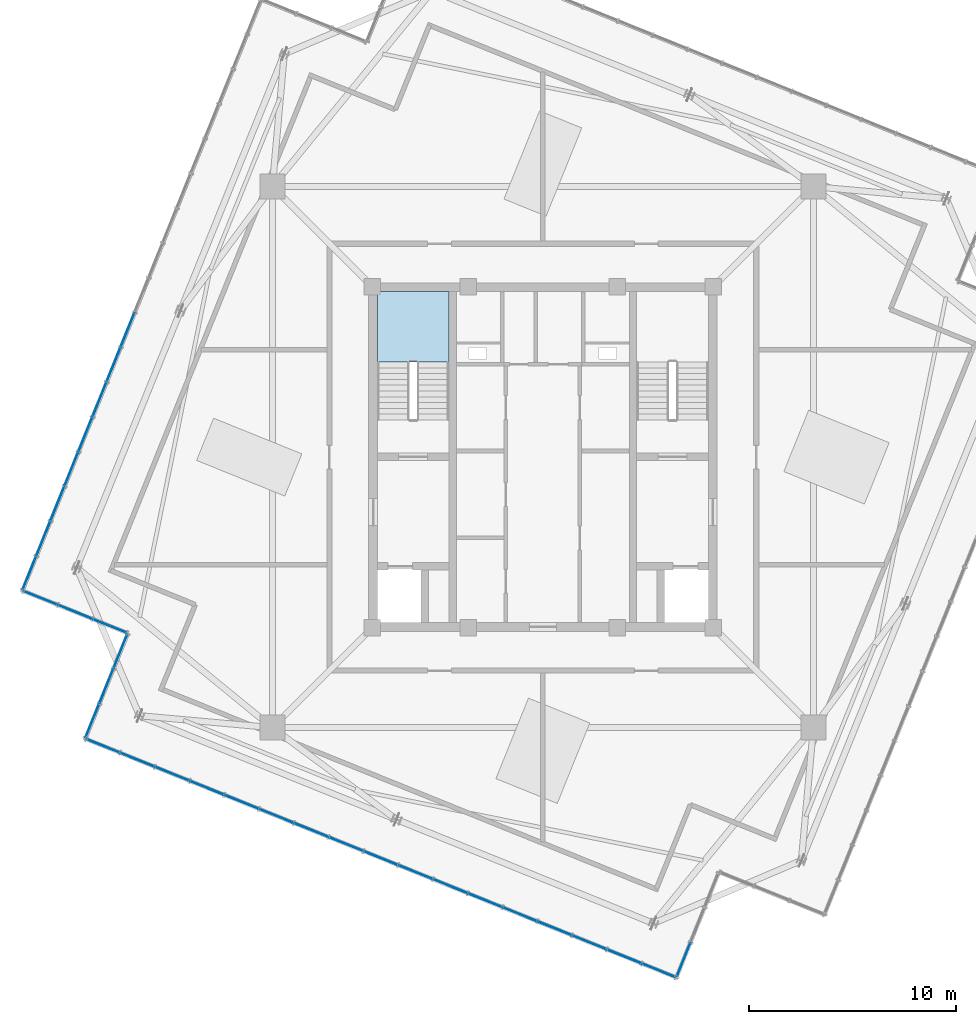
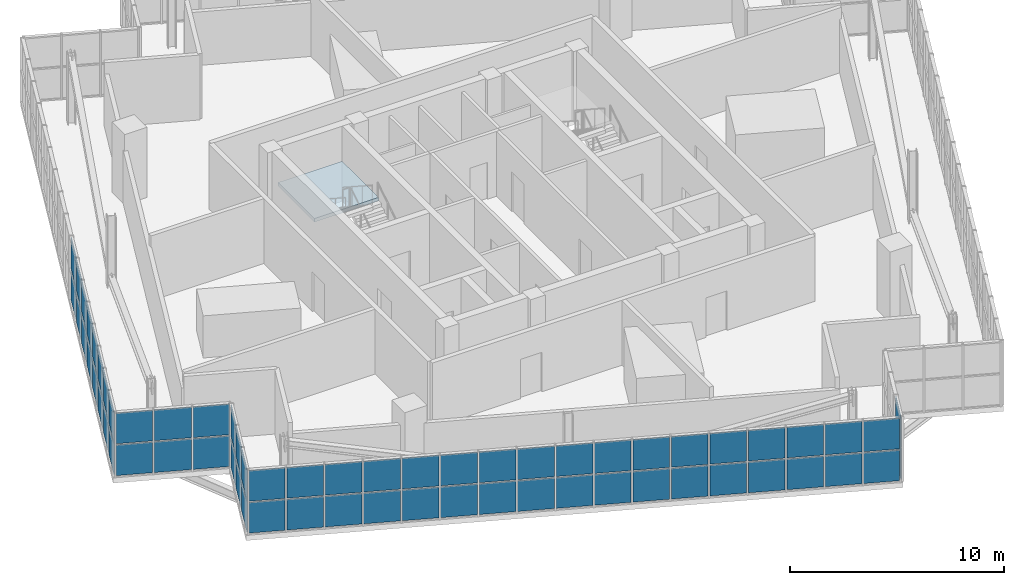
# One storey, part 18 of 26: 64 plates, 1 slab, 6 elements without a shape of their own.
"""IFC4 building model written with IfcOpenShell, lengths in metres."""

import ifcopenshell
import ifcopenshell.guid

model = None  # the IFC model being written
_history = None  # IfcOwnerHistory: only IFC2X3 demands one
_inside = {}  # id of a spatial element -> (the spatial element, [elements in it])
_under = {}  # id of a project, library or spatial element -> (it, [spatial elements below it])
_declared = {}  # id of a project -> (the project, [libraries it declares])
_typed = {}  # id of a type object -> (the type object, [elements of that type])
_made_of = {}  # id of a material, layer set ... -> (it, [elements and type objects made of it])


def new_model(schema):
    """Start an empty IFC model of exactly this schema.

    Asked for "IFC4X3", IfcOpenShell would pick the latest addendum, in which some entities
    have other attributes; the version numbers below select the first issue.
    IFC2X3 requires an IfcOwnerHistory on every rooted entity: one is made here for all.
    """
    global model, _history
    if schema == "IFC4X3":
        model = ifcopenshell.file(schema_version=(4, 3, 0, 0))
    else:
        model = ifcopenshell.file(schema=schema)
    _inside.clear()
    _under.clear()
    _declared.clear()
    _typed.clear()
    _made_of.clear()
    _history = None
    if model.schema == "IFC2X3":
        org = make("IfcOrganization", Name="unknown")
        user = make(
            "IfcPersonAndOrganization",
            ThePerson=make("IfcPerson", FamilyName="unknown"),
            TheOrganization=org,
        )
        app = make(
            "IfcApplication",
            ApplicationDeveloper=org,
            Version="unknown",
            ApplicationFullName="unknown",
            ApplicationIdentifier="unknown",
        )
        _history = make(
            "IfcOwnerHistory",
            OwningUser=user,
            OwningApplication=app,
            ChangeAction="ADDED",
            CreationDate=0,
        )
    return model


def make(cls, **values):
    """One entity of the class cls with the attributes given. An attribute that is None is left unset."""
    return model.create_entity(
        cls, **{name: value for name, value in values.items() if value is not None}
    )


def rooted(cls, **values):
    """An entity with a GlobalId (a new one), such as an element, a storey or a relation."""
    return make(cls, GlobalId=ifcopenshell.guid.new(), OwnerHistory=_history, **values)


def si_unit(unit_type, name, prefix=None):
    """IfcSIUnit, for example si_unit("LENGTHUNIT", "METRE", prefix="MILLI")."""
    return make("IfcSIUnit", UnitType=unit_type, Prefix=prefix, Name=name)


def assignment(units):
    """IfcUnitAssignment: the units of a project."""
    return None if units is None else make("IfcUnitAssignment", Units=units)


def point(xyz):
    """IfcCartesianPoint."""
    return None if xyz is None else make("IfcCartesianPoint", Coordinates=xyz)


def direction(xyz):
    """IfcDirection."""
    return None if xyz is None else make("IfcDirection", DirectionRatios=xyz)


def frame(location, z_axis=None, x_axis=None):
    """IfcAxis2Placement3D, a coordinate frame: its origin and axes. An axis left out is left unset."""
    return make(
        "IfcAxis2Placement3D",
        Location=point(location),
        Axis=direction(z_axis),
        RefDirection=direction(x_axis),
    )


def frame_2d(location, x_axis=None):
    """IfcAxis2Placement2D, a coordinate frame in the plane: its origin and x axis."""
    return make(
        "IfcAxis2Placement2D", Location=point(location), RefDirection=direction(x_axis)
    )


def origin():
    """The frame at (0, 0, 0) with its axes left unset."""
    return frame((0.0, 0.0, 0.0))


def origin_2d():
    """The frame at (0, 0) in the plane with its x axis left unset."""
    return frame_2d((0.0, 0.0))


def place(relative_to, where):
    """IfcLocalPlacement: puts the frame where relative to a parent placement (None: the world)."""
    return make(
        "IfcLocalPlacement", PlacementRelTo=relative_to, RelativePlacement=where
    )


def context(
    kind, dimensions, precision=None, world=None, true_north=None, identifier=None
):
    """IfcGeometricRepresentationContext, for example the 3D "Model" context."""
    return make(
        "IfcGeometricRepresentationContext",
        ContextIdentifier=identifier,
        ContextType=kind,
        CoordinateSpaceDimension=dimensions,
        Precision=precision,
        WorldCoordinateSystem=world,
        TrueNorth=true_north,
    )


def subcontext(parent, identifier, kind, view, scale=None):
    """IfcGeometricRepresentationSubContext, for example "Body" below "Model"."""
    return make(
        "IfcGeometricRepresentationSubContext",
        ContextIdentifier=identifier,
        ContextType=kind,
        ParentContext=parent,
        TargetScale=scale,
        TargetView=view,
    )


def project(units=None, contexts=None):
    """IfcProject with its units and contexts."""
    return rooted(
        "IfcProject",
        Name="project",
        RepresentationContexts=contexts,
        UnitsInContext=assignment(units),
    )


def spatial(cls, under=None, at=None, **own):
    """A site, building, storey or space (cls), placed at a placement, below another one or the project."""
    s = rooted(cls, ObjectPlacement=at, **own)
    if under is not None:
        _under.setdefault(under.id(), (under, []))[1].append(s)
    return s


def polyline(points):
    """IfcPolyline through the points."""
    return make("IfcPolyline", Points=[point(p) for p in points])


def profile(cls, at=None, kind="AREA", **sizes):
    """A parametric profile (cls). Its sizes go by their IFC names, for example OverallWidth=200.0."""
    return make(cls, ProfileType=kind, Position=at, **sizes)


def rectangle(**sizes):
    """IfcRectangleProfileDef."""
    return profile("IfcRectangleProfileDef", **sizes)


def outline(outer, holes=None, kind="AREA"):
    """IfcArbitraryClosedProfileDef: a profile drawn as a closed curve; with holes, ...WithVoids."""
    if holes is None:
        return make("IfcArbitraryClosedProfileDef", ProfileType=kind, OuterCurve=outer)
    return make(
        "IfcArbitraryProfileDefWithVoids",
        ProfileType=kind,
        OuterCurve=outer,
        InnerCurves=holes,
    )


def extrude(swept, where, along, depth):
    """IfcExtrudedAreaSolid: the profile swept, set in the frame where, extruded along a direction by depth."""
    return make(
        "IfcExtrudedAreaSolid",
        SweptArea=swept,
        Position=where,
        ExtrudedDirection=direction(along),
        Depth=depth,
    )


def shape(context_of_items, identifier, shape_type, items):
    """IfcShapeRepresentation: the items that make up one representation, for example the "Body"."""
    return make(
        "IfcShapeRepresentation",
        ContextOfItems=context_of_items,
        RepresentationIdentifier=identifier,
        RepresentationType=shape_type,
        Items=items,
    )


def source(mapping_origin, context_of_items, identifier, shape_type, items):
    """IfcRepresentationMap: a shape defined once, which mapped items show again and again."""
    return make(
        "IfcRepresentationMap",
        MappingOrigin=mapping_origin,
        MappedRepresentation=shape(context_of_items, identifier, shape_type, items),
    )


def transform(
    local_origin,
    x_axis=None,
    y_axis=None,
    z_axis=None,
    scale=None,
    scale2=None,
    scale3=None,
    uniform=True,
):
    """IfcCartesianTransformationOperator3D, or its non-uniform kind. x_axis, y_axis, z_axis: its Axis1, 2, 3."""
    if uniform:
        return make(
            "IfcCartesianTransformationOperator3D",
            Axis1=direction(x_axis),
            Axis2=direction(y_axis),
            LocalOrigin=point(local_origin),
            Scale=scale,
            Axis3=direction(z_axis),
        )
    return make(
        "IfcCartesianTransformationOperator3DnonUniform",
        Axis1=direction(x_axis),
        Axis2=direction(y_axis),
        LocalOrigin=point(local_origin),
        Scale=scale,
        Axis3=direction(z_axis),
        Scale2=scale2,
        Scale3=scale3,
    )


def mapped(mapping_source, mapping_target):
    """IfcMappedItem: shows the shape of a source again, moved by a transform."""
    return make(
        "IfcMappedItem", MappingSource=mapping_source, MappingTarget=mapping_target
    )


def material(Name=None, Category=None):
    """IfcMaterial."""
    return make("IfcMaterial", Name=Name, Category=Category)


def layer(
    of_material, thickness, ventilated=None, Name=None, Category=None, Priority=None
):
    """IfcMaterialLayer: one layer of a wall or slab, of a material (None: an air gap)."""
    return make(
        "IfcMaterialLayer",
        Material=of_material,
        LayerThickness=thickness,
        IsVentilated=ventilated,
        Name=Name,
        Category=Category,
        Priority=Priority,
    )


def layer_set(layers, Name=None):
    """IfcMaterialLayerSet."""
    return make("IfcMaterialLayerSet", MaterialLayers=layers, LayerSetName=Name)


def made_of(thing, what):
    """Note that an element or type object is made of a material, layer set ...; save() writes the relation."""
    if what is not None:
        _made_of.setdefault(what.id(), (what, []))[1].append(thing)
    return thing


def type_object(cls, material=None, **own):
    """A type object (cls), such as IfcWallType, which elements share."""
    return made_of(rooted(cls, **own), material)


def element(
    cls,
    number,
    at=None,
    inside=None,
    cuts=None,
    type_object=None,
    material=None,
    context=None,
    identifier="Body",
    shape_type=None,
    held_by="IfcProductDefinitionShape",
    body=None,
    shapes=None,
    **own,
):
    """One element of the class cls, such as IfcWall. Its Tag is "e" and its number.

    at: its placement. inside: the storey or other place that contains it. cuts: it is an
    opening in that element (IfcRelVoidsElement). A single representation is given by context,
    identifier, shape_type and body (its items); several are given by shapes. held_by: the class
    of the entity that holds the representations. save() writes the other relations.
    """
    e = rooted(cls, Tag="e%d" % number, ObjectPlacement=at, **own)
    if body is not None:
        shapes = [shape(context, identifier, shape_type, body)]
    if shapes is not None:
        e.Representation = make(held_by, Representations=shapes)
    if inside is not None:
        _inside.setdefault(inside.id(), (inside, []))[1].append(e)
    if cuts is not None:
        rooted(
            "IfcRelVoidsElement", RelatingBuildingElement=cuts, RelatedOpeningElement=e
        )
    if type_object is not None:
        _typed.setdefault(type_object.id(), (type_object, []))[1].append(e)
    return made_of(e, material)


def aggregate(whole, parts):
    """IfcRelAggregates: a whole, such as a stair, and the parts it consists of."""
    return rooted("IfcRelAggregates", RelatingObject=whole, RelatedObjects=parts)


def save(model, path):
    """Write the relations noted so far, then the file.

    IfcRelAggregates (storeys below a building ...), IfcRelContainedInSpatialStructure (elements
    in a storey), IfcRelDefinesByType, IfcRelAssociatesMaterial and IfcRelDeclares: one each for
    every whole, place, type object, material and project.
    """
    for whole, parts in _under.values():
        aggregate(whole, parts)
    for where, things in _inside.values():
        rooted(
            "IfcRelContainedInSpatialStructure",
            RelatedElements=things,
            RelatingStructure=where,
        )
    for kind, things in _typed.values():
        rooted("IfcRelDefinesByType", RelatedObjects=things, RelatingType=kind)
    for what, things in _made_of.values():
        rooted("IfcRelAssociatesMaterial", RelatedObjects=things, RelatingMaterial=what)
    for by, libraries in _declared.values():
        rooted("IfcRelDeclares", RelatingContext=by, RelatedDefinitions=libraries)
    model.write(path)


model = new_model("IFC4")

# Units and contexts
model_context = context("Model", 3, precision=1e-05, world=origin(), true_north=direction((0.0, 1.0)))
body_context = subcontext(model_context, "Body", "Model", "MODEL_VIEW")
ifc_project = project(units=[si_unit("LENGTHUNIT", "METRE"), si_unit("AREAUNIT", "SQUARE_METRE"), si_unit("VOLUMEUNIT", "CUBIC_METRE"), si_unit("PLANEANGLEUNIT", "RADIAN"), si_unit("MASSUNIT", "GRAM", prefix="KILO"), si_unit("THERMODYNAMICTEMPERATUREUNIT", "KELVIN")], contexts=[model_context])

# Site, building, storey
site_placement = place(None, origin())
site = spatial("IfcSite", under=ifc_project, at=site_placement, CompositionType="ELEMENT")
building_placement = place(site_placement, origin())
building = spatial("IfcBuilding", under=site, at=building_placement, Name="Kosmvard Interchange Tower", CompositionType="ELEMENT")
storey_placement = place(building_placement, frame((0.0, 0.0, 325.60009765625)))
storey = spatial("IfcBuildingStorey", under=building, at=storey_placement, Name="L80", CompositionType="ELEMENT", Elevation=325.60009765625)

# Stair, slab
ifc_material_1 = material(Name="Concrete C50/60", Category="concrete")
stair_type = type_object("IfcStairType", Name="Dog-Leg Core Exit Stair H4000 C50/60", PredefinedType="HALF_TURN_STAIR", material=ifc_material_1)
stair_placement = place(storey_placement, origin())
stair = element("IfcStair", 1, at=stair_placement, inside=storey, type_object=stair_type, Name="L80 Protected Exit Stair ST-1", PredefinedType="HALF_TURN_STAIR")
ifc_layer_1 = layer(ifc_material_1, 0.199951171875, Name="Concrete C50/60")
ifc_layer_set_1 = layer_set([ifc_layer_1], Name="Concrete C50/60")
slab_type = type_object("IfcSlabType", Name="Stair Half-Landing Slab 200 C50/60", PredefinedType="LANDING", material=ifc_layer_set_1)
slab_placement = place(storey_placement, frame((0.0, 0.0, 1.7998046875)))
slab = element("IfcSlab", 2, at=slab_placement, type_object=slab_type, Name="ST-1 landing 1", PredefinedType="LANDING", context=body_context, shape_type="SweptSolid", body=[
    extrude(outline(polyline([(-4.5400390625, 4.60009765625), (-4.5400390625, 8.0), (-8.0, 8.0), (-8.0, 4.60009765625), (-4.5400390625, 4.60009765625)])), origin(), (0.0, 0.0, 1.0), 0.2001953125),
])
aggregate(stair, [slab])

# Curtain wall, plates
ifc_material_2 = material(Name="Architectural anodised aluminium", Category="aluminium")
ifc_layer_2 = layer(ifc_material_2, 0.25, Name="Architectural anodised aluminium")
ifc_layer_set_2 = layer_set([ifc_layer_2], Name="Architectural anodised aluminium")
curtain_wall_type = type_object("IfcCurtainWallType", Name="CW-6 Illuminated Crown Lantern Curtain Wall", PredefinedType="NOTDEFINED", material=ifc_layer_set_2)
curtain_wall_1_placement = place(storey_placement, origin())
curtain_wall_1 = element("IfcCurtainWall", 3, at=curtain_wall_1_placement, inside=storey, type_object=curtain_wall_type, Name="L80 Crown Lantern Glazing Face 07", PredefinedType="NOTDEFINED")
ifc_material_3 = material(Name="Laminated acoustic lantern glazing", Category="glass")
ifc_layer_3 = layer(ifc_material_3, 0.035888671875, Name="Laminated acoustic lantern glazing")
ifc_layer_set_3 = layer_set([ifc_layer_3], Name="Laminated acoustic lantern glazing")
plate_type = type_object("IfcPlateType", Name="Lantern Diffused Illuminated Panel 36", PredefinedType="CURTAIN_PANEL", material=ifc_layer_set_3)
shared_shape_1 = source(origin(), body_context, "Body", "SweptSolid", [
    extrude(rectangle(XDim=1.694091796875, YDim=0.035888671875, at=origin_2d()), origin(), (0.0, 0.0, 1.0), 1.7451171875),
])
plate_1_placement = place(storey_placement, frame((-24.825927734375, -5.600830078125, 0.06982421875), z_axis=(0.0, 0.0, 1.0), x_axis=(-0.374606584758, -0.927183858065, 0.0)))
plate_1 = element("IfcPlate", 4, at=plate_1_placement, type_object=plate_type, Name="CW-6 panel 17.1", PredefinedType="CURTAIN_PANEL", context=body_context, shape_type="MappedRepresentation", body=[
    mapped(shared_shape_1, transform((0.0, 0.0, 0.0), scale=1.0)),
])
plate_2_placement = place(storey_placement, frame((-24.825927734375, -5.600830078125, 1.884765625), z_axis=(0.0, 0.0, 1.0), x_axis=(-0.374606584758, -0.927183858065, 0.0)))
plate_2 = element("IfcPlate", 5, at=plate_2_placement, type_object=plate_type, Name="CW-6 panel 17.2", PredefinedType="CURTAIN_PANEL", context=body_context, shape_type="MappedRepresentation", body=[
    mapped(shared_shape_1, transform((0.0, 0.0, 0.0), scale=1.0)),
])

curtain_wall_2_placement = place(storey_placement, origin())
curtain_wall_2 = element("IfcCurtainWall", 6, at=curtain_wall_2_placement, inside=storey, type_object=curtain_wall_type, Name="L80 Crown Lantern Glazing Face 10", PredefinedType="NOTDEFINED")
plate_3_placement = place(storey_placement, frame((-21.2744140625, -13.967529296875, 0.06982421875), z_axis=(0.0, 0.0, 1.0), x_axis=(0.927183858065, -0.374606584758, 0.0)))
plate_3 = element("IfcPlate", 7, at=plate_3_placement, type_object=plate_type, Name="CW-6 panel 1.1", PredefinedType="CURTAIN_PANEL", context=body_context, shape_type="MappedRepresentation", body=[
    mapped(shared_shape_1, transform((0.0, 0.0, 0.0), scale=1.0)),
])
plate_4_placement = place(storey_placement, frame((-21.2744140625, -13.967529296875, 1.884765625), z_axis=(0.0, 0.0, 1.0), x_axis=(0.927183858065, -0.374606584758, 0.0)))
plate_4 = element("IfcPlate", 8, at=plate_4_placement, type_object=plate_type, Name="CW-6 panel 1.2", PredefinedType="CURTAIN_PANEL", context=body_context, shape_type="MappedRepresentation", body=[
    mapped(shared_shape_1, transform((0.0, 0.0, 0.0), scale=1.0)),
])
plate_5_placement = place(storey_placement, frame((5.600830078125, -24.825927734375, 0.06982421875), z_axis=(0.0, 0.0, 1.0), x_axis=(0.927183858065, -0.374606584758, 0.0)))
plate_5 = element("IfcPlate", 9, at=plate_5_placement, type_object=plate_type, Name="CW-6 panel 17.1", PredefinedType="CURTAIN_PANEL", context=body_context, shape_type="MappedRepresentation", body=[
    mapped(shared_shape_1, transform((0.0, 0.0, 0.0), scale=1.0)),
])
plate_6_placement = place(storey_placement, frame((5.600830078125, -24.825927734375, 1.884765625), z_axis=(0.0, 0.0, 1.0), x_axis=(0.927183858065, -0.374606584758, 0.0)))
plate_6 = element("IfcPlate", 10, at=plate_6_placement, type_object=plate_type, Name="CW-6 panel 17.2", PredefinedType="CURTAIN_PANEL", context=body_context, shape_type="MappedRepresentation", body=[
    mapped(shared_shape_1, transform((0.0, 0.0, 0.0), scale=1.0)),
])

# Plate
shared_shape_2 = source(origin(), body_context, "Body", "SweptSolid", [
    extrude(rectangle(XDim=1.734130859375, YDim=0.035888671875, at=origin_2d()), origin(), (0.0, 0.0, 1.0), 1.7451171875),
])
plate_7_placement = place(storey_placement, frame((-20.076171875, 6.15478515625, 0.06982421875), z_axis=(0.0, 0.0, 1.0), x_axis=(-0.374606584758, -0.927183858065, 0.0)))
plate_7 = element("IfcPlate", 11, at=plate_7_placement, type_object=plate_type, Name="CW-6 panel 10.1", PredefinedType="CURTAIN_PANEL", context=body_context, shape_type="MappedRepresentation", body=[
    mapped(shared_shape_2, transform((0.0, 0.0, 0.0), scale=1.0)),
])

plate_8_placement = place(storey_placement, frame((-20.076171875, 6.15478515625, 1.884765625), z_axis=(0.0, 0.0, 1.0), x_axis=(-0.374606584758, -0.927183858065, 0.0)))
plate_8 = element("IfcPlate", 12, at=plate_8_placement, type_object=plate_type, Name="CW-6 panel 10.2", PredefinedType="CURTAIN_PANEL", context=body_context, shape_type="MappedRepresentation", body=[
    mapped(shared_shape_2, transform((0.0, 0.0, 0.0), scale=1.0)),
])

plate_9_placement = place(storey_placement, frame((-20.755859375, 4.47265625, 0.06982421875), z_axis=(0.0, 0.0, 1.0), x_axis=(-0.374606584758, -0.927183858065, 0.0)))
plate_9 = element("IfcPlate", 13, at=plate_9_placement, type_object=plate_type, Name="CW-6 panel 11.1", PredefinedType="CURTAIN_PANEL", context=body_context, shape_type="MappedRepresentation", body=[
    mapped(shared_shape_2, transform((0.0, 0.0, 0.0), scale=1.0)),
])

plate_10_placement = place(storey_placement, frame((-20.755859375, 4.47265625, 1.884765625), z_axis=(0.0, 0.0, 1.0), x_axis=(-0.374606584758, -0.927183858065, 0.0)))
plate_10 = element("IfcPlate", 14, at=plate_10_placement, type_object=plate_type, Name="CW-6 panel 11.2", PredefinedType="CURTAIN_PANEL", context=body_context, shape_type="MappedRepresentation", body=[
    mapped(shared_shape_2, transform((0.0, 0.0, 0.0), scale=1.0)),
])

plate_11_placement = place(storey_placement, frame((-21.435546875, 2.790771484375, 0.06982421875), z_axis=(0.0, 0.0, 1.0), x_axis=(-0.374606584758, -0.927183858065, 0.0)))
plate_11 = element("IfcPlate", 15, at=plate_11_placement, type_object=plate_type, Name="CW-6 panel 12.1", PredefinedType="CURTAIN_PANEL", context=body_context, shape_type="MappedRepresentation", body=[
    mapped(shared_shape_2, transform((0.0, 0.0, 0.0), scale=1.0)),
])

plate_12_placement = place(storey_placement, frame((-21.435546875, 2.790771484375, 1.884765625), z_axis=(0.0, 0.0, 1.0), x_axis=(-0.374606584758, -0.927183858065, 0.0)))
plate_12 = element("IfcPlate", 16, at=plate_12_placement, type_object=plate_type, Name="CW-6 panel 12.2", PredefinedType="CURTAIN_PANEL", context=body_context, shape_type="MappedRepresentation", body=[
    mapped(shared_shape_2, transform((0.0, 0.0, 0.0), scale=1.0)),
])

plate_13_placement = place(storey_placement, frame((-22.114990234375, 1.108642578125, 0.06982421875), z_axis=(0.0, 0.0, 1.0), x_axis=(-0.374606584758, -0.927183858065, 0.0)))
plate_13 = element("IfcPlate", 17, at=plate_13_placement, type_object=plate_type, Name="CW-6 panel 13.1", PredefinedType="CURTAIN_PANEL", context=body_context, shape_type="MappedRepresentation", body=[
    mapped(shared_shape_2, transform((0.0, 0.0, 0.0), scale=1.0)),
])

plate_14_placement = place(storey_placement, frame((-22.114990234375, 1.108642578125, 1.884765625), z_axis=(0.0, 0.0, 1.0), x_axis=(-0.374606584758, -0.927183858065, 0.0)))
plate_14 = element("IfcPlate", 18, at=plate_14_placement, type_object=plate_type, Name="CW-6 panel 13.2", PredefinedType="CURTAIN_PANEL", context=body_context, shape_type="MappedRepresentation", body=[
    mapped(shared_shape_2, transform((0.0, 0.0, 0.0), scale=1.0)),
])

plate_15_placement = place(storey_placement, frame((-22.794677734375, -0.5732421875, 0.06982421875), z_axis=(0.0, 0.0, 1.0), x_axis=(-0.374606584758, -0.927183858065, 0.0)))
plate_15 = element("IfcPlate", 19, at=plate_15_placement, type_object=plate_type, Name="CW-6 panel 14.1", PredefinedType="CURTAIN_PANEL", context=body_context, shape_type="MappedRepresentation", body=[
    mapped(shared_shape_2, transform((0.0, 0.0, 0.0), scale=1.0)),
])

plate_16_placement = place(storey_placement, frame((-22.794677734375, -0.5732421875, 1.884765625), z_axis=(0.0, 0.0, 1.0), x_axis=(-0.374606584758, -0.927183858065, 0.0)))
plate_16 = element("IfcPlate", 20, at=plate_16_placement, type_object=plate_type, Name="CW-6 panel 14.2", PredefinedType="CURTAIN_PANEL", context=body_context, shape_type="MappedRepresentation", body=[
    mapped(shared_shape_2, transform((0.0, 0.0, 0.0), scale=1.0)),
])

plate_17_placement = place(storey_placement, frame((-23.47412109375, -2.25537109375, 0.06982421875), z_axis=(0.0, 0.0, 1.0), x_axis=(-0.374606584758, -0.927183858065, 0.0)))
plate_17 = element("IfcPlate", 21, at=plate_17_placement, type_object=plate_type, Name="CW-6 panel 15.1", PredefinedType="CURTAIN_PANEL", context=body_context, shape_type="MappedRepresentation", body=[
    mapped(shared_shape_2, transform((0.0, 0.0, 0.0), scale=1.0)),
])

plate_18_placement = place(storey_placement, frame((-23.47412109375, -2.25537109375, 1.884765625), z_axis=(0.0, 0.0, 1.0), x_axis=(-0.374606584758, -0.927183858065, 0.0)))
plate_18 = element("IfcPlate", 22, at=plate_18_placement, type_object=plate_type, Name="CW-6 panel 15.2", PredefinedType="CURTAIN_PANEL", context=body_context, shape_type="MappedRepresentation", body=[
    mapped(shared_shape_2, transform((0.0, 0.0, 0.0), scale=1.0)),
])

plate_19_placement = place(storey_placement, frame((-24.15380859375, -3.937255859375, 0.06982421875), z_axis=(0.0, 0.0, 1.0), x_axis=(-0.374606584758, -0.927183858065, 0.0)))
plate_19 = element("IfcPlate", 23, at=plate_19_placement, type_object=plate_type, Name="CW-6 panel 16.1", PredefinedType="CURTAIN_PANEL", context=body_context, shape_type="MappedRepresentation", body=[
    mapped(shared_shape_2, transform((0.0, 0.0, 0.0), scale=1.0)),
])

plate_20_placement = place(storey_placement, frame((-24.15380859375, -3.937255859375, 1.884765625), z_axis=(0.0, 0.0, 1.0), x_axis=(-0.374606584758, -0.927183858065, 0.0)))
plate_20 = element("IfcPlate", 24, at=plate_20_placement, type_object=plate_type, Name="CW-6 panel 16.2", PredefinedType="CURTAIN_PANEL", context=body_context, shape_type="MappedRepresentation", body=[
    mapped(shared_shape_2, transform((0.0, 0.0, 0.0), scale=1.0)),
])

aggregate(curtain_wall_1, [plate_7, plate_8, plate_9, plate_10, plate_11, plate_12, plate_13, plate_14, plate_15, plate_16, plate_17, plate_18, plate_19, plate_20, plate_1, plate_2])

plate_21_placement = place(storey_placement, frame((-19.61083984375, -14.6396484375, 0.06982421875), z_axis=(0.0, 0.0, 1.0), x_axis=(0.927183858065, -0.374606584758, 0.0)))
plate_21 = element("IfcPlate", 25, at=plate_21_placement, type_object=plate_type, Name="CW-6 panel 2.1", PredefinedType="CURTAIN_PANEL", context=body_context, shape_type="MappedRepresentation", body=[
    mapped(shared_shape_2, transform((0.0, 0.0, 0.0), scale=1.0)),
])

plate_22_placement = place(storey_placement, frame((-19.61083984375, -14.6396484375, 1.884765625), z_axis=(0.0, 0.0, 1.0), x_axis=(0.927183858065, -0.374606584758, 0.0)))
plate_22 = element("IfcPlate", 26, at=plate_22_placement, type_object=plate_type, Name="CW-6 panel 2.2", PredefinedType="CURTAIN_PANEL", context=body_context, shape_type="MappedRepresentation", body=[
    mapped(shared_shape_2, transform((0.0, 0.0, 0.0), scale=1.0)),
])

plate_23_placement = place(storey_placement, frame((-17.928955078125, -15.319091796875, 0.06982421875), z_axis=(0.0, 0.0, 1.0), x_axis=(0.927183858065, -0.374606584758, 0.0)))
plate_23 = element("IfcPlate", 27, at=plate_23_placement, type_object=plate_type, Name="CW-6 panel 3.1", PredefinedType="CURTAIN_PANEL", context=body_context, shape_type="MappedRepresentation", body=[
    mapped(shared_shape_2, transform((0.0, 0.0, 0.0), scale=1.0)),
])

plate_24_placement = place(storey_placement, frame((-17.928955078125, -15.319091796875, 1.884765625), z_axis=(0.0, 0.0, 1.0), x_axis=(0.927183858065, -0.374606584758, 0.0)))
plate_24 = element("IfcPlate", 28, at=plate_24_placement, type_object=plate_type, Name="CW-6 panel 3.2", PredefinedType="CURTAIN_PANEL", context=body_context, shape_type="MappedRepresentation", body=[
    mapped(shared_shape_2, transform((0.0, 0.0, 0.0), scale=1.0)),
])

plate_25_placement = place(storey_placement, frame((-16.246826171875, -15.998779296875, 0.06982421875), z_axis=(0.0, 0.0, 1.0), x_axis=(0.927183858065, -0.374606584758, 0.0)))
plate_25 = element("IfcPlate", 29, at=plate_25_placement, type_object=plate_type, Name="CW-6 panel 4.1", PredefinedType="CURTAIN_PANEL", context=body_context, shape_type="MappedRepresentation", body=[
    mapped(shared_shape_2, transform((0.0, 0.0, 0.0), scale=1.0)),
])

plate_26_placement = place(storey_placement, frame((-16.246826171875, -15.998779296875, 1.884765625), z_axis=(0.0, 0.0, 1.0), x_axis=(0.927183858065, -0.374606584758, 0.0)))
plate_26 = element("IfcPlate", 30, at=plate_26_placement, type_object=plate_type, Name="CW-6 panel 4.2", PredefinedType="CURTAIN_PANEL", context=body_context, shape_type="MappedRepresentation", body=[
    mapped(shared_shape_2, transform((0.0, 0.0, 0.0), scale=1.0)),
])

plate_27_placement = place(storey_placement, frame((-14.56494140625, -16.678466796875, 0.06982421875), z_axis=(0.0, 0.0, 1.0), x_axis=(0.927183858065, -0.374606584758, 0.0)))
plate_27 = element("IfcPlate", 31, at=plate_27_placement, type_object=plate_type, Name="CW-6 panel 5.1", PredefinedType="CURTAIN_PANEL", context=body_context, shape_type="MappedRepresentation", body=[
    mapped(shared_shape_2, transform((0.0, 0.0, 0.0), scale=1.0)),
])

plate_28_placement = place(storey_placement, frame((-14.56494140625, -16.678466796875, 1.884765625), z_axis=(0.0, 0.0, 1.0), x_axis=(0.927183858065, -0.374606584758, 0.0)))
plate_28 = element("IfcPlate", 32, at=plate_28_placement, type_object=plate_type, Name="CW-6 panel 5.2", PredefinedType="CURTAIN_PANEL", context=body_context, shape_type="MappedRepresentation", body=[
    mapped(shared_shape_2, transform((0.0, 0.0, 0.0), scale=1.0)),
])

plate_29_placement = place(storey_placement, frame((-12.8828125, -17.35791015625, 0.06982421875), z_axis=(0.0, 0.0, 1.0), x_axis=(0.927183858065, -0.374606584758, 0.0)))
plate_29 = element("IfcPlate", 33, at=plate_29_placement, type_object=plate_type, Name="CW-6 panel 6.1", PredefinedType="CURTAIN_PANEL", context=body_context, shape_type="MappedRepresentation", body=[
    mapped(shared_shape_2, transform((0.0, 0.0, 0.0), scale=1.0)),
])

plate_30_placement = place(storey_placement, frame((-12.8828125, -17.35791015625, 1.884765625), z_axis=(0.0, 0.0, 1.0), x_axis=(0.927183858065, -0.374606584758, 0.0)))
plate_30 = element("IfcPlate", 34, at=plate_30_placement, type_object=plate_type, Name="CW-6 panel 6.2", PredefinedType="CURTAIN_PANEL", context=body_context, shape_type="MappedRepresentation", body=[
    mapped(shared_shape_2, transform((0.0, 0.0, 0.0), scale=1.0)),
])

plate_31_placement = place(storey_placement, frame((-11.200927734375, -18.03759765625, 0.06982421875), z_axis=(0.0, 0.0, 1.0), x_axis=(0.927183858065, -0.374606584758, 0.0)))
plate_31 = element("IfcPlate", 35, at=plate_31_placement, type_object=plate_type, Name="CW-6 panel 7.1", PredefinedType="CURTAIN_PANEL", context=body_context, shape_type="MappedRepresentation", body=[
    mapped(shared_shape_2, transform((0.0, 0.0, 0.0), scale=1.0)),
])

plate_32_placement = place(storey_placement, frame((-11.200927734375, -18.03759765625, 1.884765625), z_axis=(0.0, 0.0, 1.0), x_axis=(0.927183858065, -0.374606584758, 0.0)))
plate_32 = element("IfcPlate", 36, at=plate_32_placement, type_object=plate_type, Name="CW-6 panel 7.2", PredefinedType="CURTAIN_PANEL", context=body_context, shape_type="MappedRepresentation", body=[
    mapped(shared_shape_2, transform((0.0, 0.0, 0.0), scale=1.0)),
])

plate_33_placement = place(storey_placement, frame((-9.518798828125, -18.717041015625, 0.06982421875), z_axis=(0.0, 0.0, 1.0), x_axis=(0.927183858065, -0.374606584758, 0.0)))
plate_33 = element("IfcPlate", 37, at=plate_33_placement, type_object=plate_type, Name="CW-6 panel 8.1", PredefinedType="CURTAIN_PANEL", context=body_context, shape_type="MappedRepresentation", body=[
    mapped(shared_shape_2, transform((0.0, 0.0, 0.0), scale=1.0)),
])

plate_34_placement = place(storey_placement, frame((-9.518798828125, -18.717041015625, 1.884765625), z_axis=(0.0, 0.0, 1.0), x_axis=(0.927183858065, -0.374606584758, 0.0)))
plate_34 = element("IfcPlate", 38, at=plate_34_placement, type_object=plate_type, Name="CW-6 panel 8.2", PredefinedType="CURTAIN_PANEL", context=body_context, shape_type="MappedRepresentation", body=[
    mapped(shared_shape_2, transform((0.0, 0.0, 0.0), scale=1.0)),
])

plate_35_placement = place(storey_placement, frame((-7.836669921875, -19.396728515625, 0.06982421875), z_axis=(0.0, 0.0, 1.0), x_axis=(0.927183858065, -0.374606584758, 0.0)))
plate_35 = element("IfcPlate", 39, at=plate_35_placement, type_object=plate_type, Name="CW-6 panel 9.1", PredefinedType="CURTAIN_PANEL", context=body_context, shape_type="MappedRepresentation", body=[
    mapped(shared_shape_2, transform((0.0, 0.0, 0.0), scale=1.0)),
])

plate_36_placement = place(storey_placement, frame((-7.836669921875, -19.396728515625, 1.884765625), z_axis=(0.0, 0.0, 1.0), x_axis=(0.927183858065, -0.374606584758, 0.0)))
plate_36 = element("IfcPlate", 40, at=plate_36_placement, type_object=plate_type, Name="CW-6 panel 9.2", PredefinedType="CURTAIN_PANEL", context=body_context, shape_type="MappedRepresentation", body=[
    mapped(shared_shape_2, transform((0.0, 0.0, 0.0), scale=1.0)),
])

plate_37_placement = place(storey_placement, frame((-6.15478515625, -20.076171875, 0.06982421875), z_axis=(0.0, 0.0, 1.0), x_axis=(0.927183858065, -0.374606584758, 0.0)))
plate_37 = element("IfcPlate", 41, at=plate_37_placement, type_object=plate_type, Name="CW-6 panel 10.1", PredefinedType="CURTAIN_PANEL", context=body_context, shape_type="MappedRepresentation", body=[
    mapped(shared_shape_2, transform((0.0, 0.0, 0.0), scale=1.0)),
])

plate_38_placement = place(storey_placement, frame((-6.15478515625, -20.076171875, 1.884765625), z_axis=(0.0, 0.0, 1.0), x_axis=(0.927183858065, -0.374606584758, 0.0)))
plate_38 = element("IfcPlate", 42, at=plate_38_placement, type_object=plate_type, Name="CW-6 panel 10.2", PredefinedType="CURTAIN_PANEL", context=body_context, shape_type="MappedRepresentation", body=[
    mapped(shared_shape_2, transform((0.0, 0.0, 0.0), scale=1.0)),
])

plate_39_placement = place(storey_placement, frame((-4.47265625, -20.755859375, 0.06982421875), z_axis=(0.0, 0.0, 1.0), x_axis=(0.927183858065, -0.374606584758, 0.0)))
plate_39 = element("IfcPlate", 43, at=plate_39_placement, type_object=plate_type, Name="CW-6 panel 11.1", PredefinedType="CURTAIN_PANEL", context=body_context, shape_type="MappedRepresentation", body=[
    mapped(shared_shape_2, transform((0.0, 0.0, 0.0), scale=1.0)),
])

plate_40_placement = place(storey_placement, frame((-4.47265625, -20.755859375, 1.884765625), z_axis=(0.0, 0.0, 1.0), x_axis=(0.927183858065, -0.374606584758, 0.0)))
plate_40 = element("IfcPlate", 44, at=plate_40_placement, type_object=plate_type, Name="CW-6 panel 11.2", PredefinedType="CURTAIN_PANEL", context=body_context, shape_type="MappedRepresentation", body=[
    mapped(shared_shape_2, transform((0.0, 0.0, 0.0), scale=1.0)),
])

plate_41_placement = place(storey_placement, frame((-2.790771484375, -21.435546875, 0.06982421875), z_axis=(0.0, 0.0, 1.0), x_axis=(0.927183858065, -0.374606584758, 0.0)))
plate_41 = element("IfcPlate", 45, at=plate_41_placement, type_object=plate_type, Name="CW-6 panel 12.1", PredefinedType="CURTAIN_PANEL", context=body_context, shape_type="MappedRepresentation", body=[
    mapped(shared_shape_2, transform((0.0, 0.0, 0.0), scale=1.0)),
])

plate_42_placement = place(storey_placement, frame((-2.790771484375, -21.435546875, 1.884765625), z_axis=(0.0, 0.0, 1.0), x_axis=(0.927183858065, -0.374606584758, 0.0)))
plate_42 = element("IfcPlate", 46, at=plate_42_placement, type_object=plate_type, Name="CW-6 panel 12.2", PredefinedType="CURTAIN_PANEL", context=body_context, shape_type="MappedRepresentation", body=[
    mapped(shared_shape_2, transform((0.0, 0.0, 0.0), scale=1.0)),
])

plate_43_placement = place(storey_placement, frame((-1.108642578125, -22.114990234375, 0.06982421875), z_axis=(0.0, 0.0, 1.0), x_axis=(0.927183858065, -0.374606584758, 0.0)))
plate_43 = element("IfcPlate", 47, at=plate_43_placement, type_object=plate_type, Name="CW-6 panel 13.1", PredefinedType="CURTAIN_PANEL", context=body_context, shape_type="MappedRepresentation", body=[
    mapped(shared_shape_2, transform((0.0, 0.0, 0.0), scale=1.0)),
])

plate_44_placement = place(storey_placement, frame((-1.108642578125, -22.114990234375, 1.884765625), z_axis=(0.0, 0.0, 1.0), x_axis=(0.927183858065, -0.374606584758, 0.0)))
plate_44 = element("IfcPlate", 48, at=plate_44_placement, type_object=plate_type, Name="CW-6 panel 13.2", PredefinedType="CURTAIN_PANEL", context=body_context, shape_type="MappedRepresentation", body=[
    mapped(shared_shape_2, transform((0.0, 0.0, 0.0), scale=1.0)),
])

plate_45_placement = place(storey_placement, frame((0.5732421875, -22.794677734375, 0.06982421875), z_axis=(0.0, 0.0, 1.0), x_axis=(0.927183858065, -0.374606584758, 0.0)))
plate_45 = element("IfcPlate", 49, at=plate_45_placement, type_object=plate_type, Name="CW-6 panel 14.1", PredefinedType="CURTAIN_PANEL", context=body_context, shape_type="MappedRepresentation", body=[
    mapped(shared_shape_2, transform((0.0, 0.0, 0.0), scale=1.0)),
])

plate_46_placement = place(storey_placement, frame((0.5732421875, -22.794677734375, 1.884765625), z_axis=(0.0, 0.0, 1.0), x_axis=(0.927183858065, -0.374606584758, 0.0)))
plate_46 = element("IfcPlate", 50, at=plate_46_placement, type_object=plate_type, Name="CW-6 panel 14.2", PredefinedType="CURTAIN_PANEL", context=body_context, shape_type="MappedRepresentation", body=[
    mapped(shared_shape_2, transform((0.0, 0.0, 0.0), scale=1.0)),
])

plate_47_placement = place(storey_placement, frame((2.25537109375, -23.47412109375, 0.06982421875), z_axis=(0.0, 0.0, 1.0), x_axis=(0.927183858065, -0.374606584758, 0.0)))
plate_47 = element("IfcPlate", 51, at=plate_47_placement, type_object=plate_type, Name="CW-6 panel 15.1", PredefinedType="CURTAIN_PANEL", context=body_context, shape_type="MappedRepresentation", body=[
    mapped(shared_shape_2, transform((0.0, 0.0, 0.0), scale=1.0)),
])

plate_48_placement = place(storey_placement, frame((2.25537109375, -23.47412109375, 1.884765625), z_axis=(0.0, 0.0, 1.0), x_axis=(0.927183858065, -0.374606584758, 0.0)))
plate_48 = element("IfcPlate", 52, at=plate_48_placement, type_object=plate_type, Name="CW-6 panel 15.2", PredefinedType="CURTAIN_PANEL", context=body_context, shape_type="MappedRepresentation", body=[
    mapped(shared_shape_2, transform((0.0, 0.0, 0.0), scale=1.0)),
])

plate_49_placement = place(storey_placement, frame((3.937255859375, -24.15380859375, 0.06982421875), z_axis=(0.0, 0.0, 1.0), x_axis=(0.927183858065, -0.374606584758, 0.0)))
plate_49 = element("IfcPlate", 53, at=plate_49_placement, type_object=plate_type, Name="CW-6 panel 16.1", PredefinedType="CURTAIN_PANEL", context=body_context, shape_type="MappedRepresentation", body=[
    mapped(shared_shape_2, transform((0.0, 0.0, 0.0), scale=1.0)),
])

plate_50_placement = place(storey_placement, frame((3.937255859375, -24.15380859375, 1.884765625), z_axis=(0.0, 0.0, 1.0), x_axis=(0.927183858065, -0.374606584758, 0.0)))
plate_50 = element("IfcPlate", 54, at=plate_50_placement, type_object=plate_type, Name="CW-6 panel 16.2", PredefinedType="CURTAIN_PANEL", context=body_context, shape_type="MappedRepresentation", body=[
    mapped(shared_shape_2, transform((0.0, 0.0, 0.0), scale=1.0)),
])

aggregate(curtain_wall_2, [plate_3, plate_4, plate_21, plate_22, plate_23, plate_24, plate_25, plate_26, plate_27, plate_28, plate_29, plate_30, plate_31, plate_32, plate_33, plate_34, plate_35, plate_36, plate_37, plate_38, plate_39, plate_40, plate_41, plate_42, plate_43, plate_44, plate_45, plate_46, plate_47, plate_48, plate_49, plate_50, plate_5, plate_6])

# Curtain wall, plates
curtain_wall_3_placement = place(storey_placement, origin())
curtain_wall_3 = element("IfcCurtainWall", 55, at=curtain_wall_3_placement, inside=storey, type_object=curtain_wall_type, Name="L80 Crown Lantern Glazing Face 08", PredefinedType="NOTDEFINED")
shared_shape_3 = source(origin(), body_context, "Body", "SweptSolid", [
    extrude(rectangle(XDim=1.71337890625, YDim=0.035888671875, at=origin_2d()), origin(), (0.0, 0.0, 1.0), 1.7451171875),
])
plate_51_placement = place(storey_placement, frame((-24.3046875, -6.811279296875, 0.06982421875), z_axis=(0.0, 0.0, 1.0), x_axis=(0.92718386612, -0.374606564822, 0.0)))
plate_51 = element("IfcPlate", 56, at=plate_51_placement, type_object=plate_type, Name="CW-6 panel 1.1", PredefinedType="CURTAIN_PANEL", context=body_context, shape_type="MappedRepresentation", body=[
    mapped(shared_shape_3, transform((0.0, 0.0, 0.0), scale=1.0)),
])
plate_52_placement = place(storey_placement, frame((-24.3046875, -6.811279296875, 1.884765625), z_axis=(0.0, 0.0, 1.0), x_axis=(0.92718386612, -0.374606564822, 0.0)))
plate_52 = element("IfcPlate", 57, at=plate_52_placement, type_object=plate_type, Name="CW-6 panel 1.2", PredefinedType="CURTAIN_PANEL", context=body_context, shape_type="MappedRepresentation", body=[
    mapped(shared_shape_3, transform((0.0, 0.0, 0.0), scale=1.0)),
])
plate_53_placement = place(storey_placement, frame((-20.942138671875, -8.169921875, 0.06982421875), z_axis=(0.0, 0.0, 1.0), x_axis=(0.92718386612, -0.374606564822, 0.0)))
plate_53 = element("IfcPlate", 58, at=plate_53_placement, type_object=plate_type, Name="CW-6 panel 3.1", PredefinedType="CURTAIN_PANEL", context=body_context, shape_type="MappedRepresentation", body=[
    mapped(shared_shape_3, transform((0.0, 0.0, 0.0), scale=1.0)),
])
plate_54_placement = place(storey_placement, frame((-20.942138671875, -8.169921875, 1.884765625), z_axis=(0.0, 0.0, 1.0), x_axis=(0.92718386612, -0.374606564822, 0.0)))
plate_54 = element("IfcPlate", 59, at=plate_54_placement, type_object=plate_type, Name="CW-6 panel 3.2", PredefinedType="CURTAIN_PANEL", context=body_context, shape_type="MappedRepresentation", body=[
    mapped(shared_shape_3, transform((0.0, 0.0, 0.0), scale=1.0)),
])

curtain_wall_4_placement = place(storey_placement, origin())
curtain_wall_4 = element("IfcCurtainWall", 60, at=curtain_wall_4_placement, inside=storey, type_object=curtain_wall_type, Name="L80 Crown Lantern Glazing Face 09", PredefinedType="NOTDEFINED")
plate_55_placement = place(storey_placement, frame((-20.424560546875, -9.38916015625, 0.06982421875), z_axis=(0.0, 0.0, 1.0), x_axis=(-0.374606501678, -0.927183891631, 0.0)))
plate_55 = element("IfcPlate", 61, at=plate_55_placement, type_object=plate_type, Name="CW-6 panel 1.1", PredefinedType="CURTAIN_PANEL", context=body_context, shape_type="MappedRepresentation", body=[
    mapped(shared_shape_3, transform((0.0, 0.0, 0.0), scale=1.0)),
])
plate_56_placement = place(storey_placement, frame((-20.424560546875, -9.38916015625, 1.884765625), z_axis=(0.0, 0.0, 1.0), x_axis=(-0.374606501678, -0.927183891631, 0.0)))
plate_56 = element("IfcPlate", 62, at=plate_56_placement, type_object=plate_type, Name="CW-6 panel 1.2", PredefinedType="CURTAIN_PANEL", context=body_context, shape_type="MappedRepresentation", body=[
    mapped(shared_shape_3, transform((0.0, 0.0, 0.0), scale=1.0)),
])
plate_57_placement = place(storey_placement, frame((-21.782958984375, -12.751708984375, 0.06982421875), z_axis=(0.0, 0.0, 1.0), x_axis=(-0.374606501678, -0.927183891631, 0.0)))
plate_57 = element("IfcPlate", 63, at=plate_57_placement, type_object=plate_type, Name="CW-6 panel 3.1", PredefinedType="CURTAIN_PANEL", context=body_context, shape_type="MappedRepresentation", body=[
    mapped(shared_shape_3, transform((0.0, 0.0, 0.0), scale=1.0)),
])
plate_58_placement = place(storey_placement, frame((-21.782958984375, -12.751708984375, 1.884765625), z_axis=(0.0, 0.0, 1.0), x_axis=(-0.374606501678, -0.927183891631, 0.0)))
plate_58 = element("IfcPlate", 64, at=plate_58_placement, type_object=plate_type, Name="CW-6 panel 3.2", PredefinedType="CURTAIN_PANEL", context=body_context, shape_type="MappedRepresentation", body=[
    mapped(shared_shape_3, transform((0.0, 0.0, 0.0), scale=1.0)),
])

curtain_wall_5_placement = place(storey_placement, origin())
curtain_wall_5 = element("IfcCurtainWall", 65, at=curtain_wall_5_placement, inside=storey, type_object=curtain_wall_type, Name="L80 Crown Lantern Glazing Face 11", PredefinedType="NOTDEFINED")
plate_59_placement = place(storey_placement, frame((6.811279296875, -24.3046875, 0.06982421875), z_axis=(0.0, 0.0, 1.0), x_axis=(0.374606564822, 0.92718386612, 0.0)))
plate_59 = element("IfcPlate", 66, at=plate_59_placement, type_object=plate_type, Name="CW-6 panel 1.1", PredefinedType="CURTAIN_PANEL", context=body_context, shape_type="MappedRepresentation", body=[
    mapped(shared_shape_3, transform((0.0, 0.0, 0.0), scale=1.0)),
])
plate_60_placement = place(storey_placement, frame((6.811279296875, -24.3046875, 1.884765625), z_axis=(0.0, 0.0, 1.0), x_axis=(0.374606564822, 0.92718386612, 0.0)))
plate_60 = element("IfcPlate", 67, at=plate_60_placement, type_object=plate_type, Name="CW-6 panel 1.2", PredefinedType="CURTAIN_PANEL", context=body_context, shape_type="MappedRepresentation", body=[
    mapped(shared_shape_3, transform((0.0, 0.0, 0.0), scale=1.0)),
])
aggregate(curtain_wall_5, [plate_59, plate_60])

# Plate
shared_shape_4 = source(origin(), body_context, "Body", "SweptSolid", [
    extrude(rectangle(XDim=1.75341796875, YDim=0.035888671875, at=origin_2d()), origin(), (0.0, 0.0, 1.0), 1.7451171875),
])
plate_61_placement = place(storey_placement, frame((-22.623291015625, -7.490478515625, 0.06982421875), z_axis=(0.0, 0.0, 1.0), x_axis=(0.92718386612, -0.374606564822, 0.0)))
plate_61 = element("IfcPlate", 68, at=plate_61_placement, type_object=plate_type, Name="CW-6 panel 2.1", PredefinedType="CURTAIN_PANEL", context=body_context, shape_type="MappedRepresentation", body=[
    mapped(shared_shape_4, transform((0.0, 0.0, 0.0), scale=1.0)),
])

plate_62_placement = place(storey_placement, frame((-22.623291015625, -7.490478515625, 1.884765625), z_axis=(0.0, 0.0, 1.0), x_axis=(0.92718386612, -0.374606564822, 0.0)))
plate_62 = element("IfcPlate", 69, at=plate_62_placement, type_object=plate_type, Name="CW-6 panel 2.2", PredefinedType="CURTAIN_PANEL", context=body_context, shape_type="MappedRepresentation", body=[
    mapped(shared_shape_4, transform((0.0, 0.0, 0.0), scale=1.0)),
])

aggregate(curtain_wall_3, [plate_51, plate_52, plate_61, plate_62, plate_53, plate_54])

plate_63_placement = place(storey_placement, frame((-21.103759765625, -11.070556640625, 0.06982421875), z_axis=(0.0, 0.0, 1.0), x_axis=(-0.374606501678, -0.927183891631, 0.0)))
plate_63 = element("IfcPlate", 70, at=plate_63_placement, type_object=plate_type, Name="CW-6 panel 2.1", PredefinedType="CURTAIN_PANEL", context=body_context, shape_type="MappedRepresentation", body=[
    mapped(shared_shape_4, transform((0.0, 0.0, 0.0), scale=1.0)),
])

plate_64_placement = place(storey_placement, frame((-21.103759765625, -11.070556640625, 1.884765625), z_axis=(0.0, 0.0, 1.0), x_axis=(-0.374606501678, -0.927183891631, 0.0)))
plate_64 = element("IfcPlate", 71, at=plate_64_placement, type_object=plate_type, Name="CW-6 panel 2.2", PredefinedType="CURTAIN_PANEL", context=body_context, shape_type="MappedRepresentation", body=[
    mapped(shared_shape_4, transform((0.0, 0.0, 0.0), scale=1.0)),
])

aggregate(curtain_wall_4, [plate_55, plate_56, plate_63, plate_64, plate_57, plate_58])

save(model, "model.ifc")
